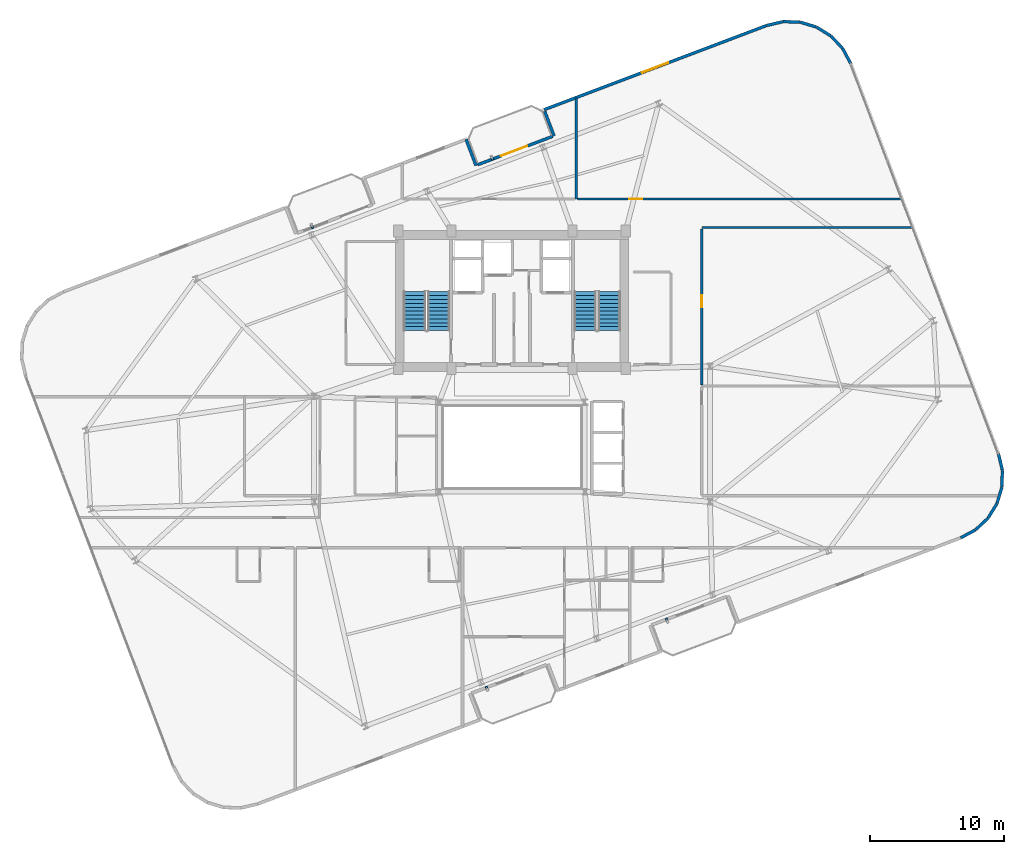
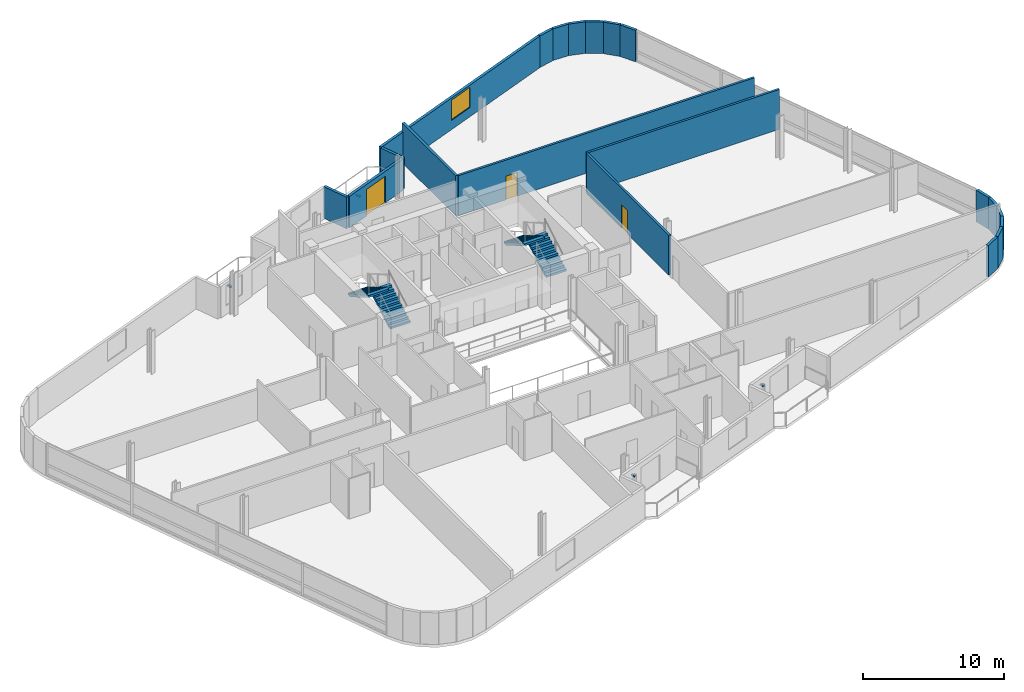
# One storey, part 17 of 19: 20 walls, 4 discrete accessories, 4 stair flights, 3 doors, 1 window, 4 openings, 2 elements without a shape of their own.
"""IFC4 building model written with IfcOpenShell, lengths in metres."""

from ifc_helpers import new_model, si_unit, direction, frame, frame_2d, origin, origin_2d, place, context, subcontext, project, spatial, polyline, rectangle, outline, extrude, source, transform, mapped, material, layer, layer_set, type_object, element, fill, aggregate, save


model = new_model("IFC4")

# Units and contexts
model_context = context("Model", 3, precision=1e-05, world=origin(), true_north=direction((0.0, 1.0)))
body_context = subcontext(model_context, "Body", "Model", "MODEL_VIEW")
ifc_project = project(units=[si_unit("LENGTHUNIT", "METRE"), si_unit("AREAUNIT", "SQUARE_METRE"), si_unit("VOLUMEUNIT", "CUBIC_METRE"), si_unit("PLANEANGLEUNIT", "RADIAN"), si_unit("MASSUNIT", "GRAM", prefix="KILO")], contexts=[model_context])

# Site, building, storey
site_placement = place(None, origin())
site = spatial("IfcSite", under=ifc_project, at=site_placement, CompositionType="ELEMENT")
building_placement = place(site_placement, origin())
building = spatial("IfcBuilding", under=site, at=building_placement, Name="Varnelok Gate Tower", CompositionType="ELEMENT")
storey_placement = place(building_placement, frame((0.0, 0.0, 231.199951171875)))
storey = spatial("IfcBuildingStorey", under=building, at=storey_placement, Name="L59", CompositionType="ELEMENT", Elevation=231.199951171875)

# Wall, opening, door
ifc_material_1 = material(Name="Concrete C45/55", Category="concrete")
ifc_layer_1 = layer(ifc_material_1, 0.219970703125)
ifc_layer_set_1 = layer_set([ifc_layer_1], Name="Concrete C45/55")
wall_type_1 = type_object("IfcWallType", Name="EW-BALC-220", PredefinedType="SOLIDWALL", material=ifc_layer_set_1)
wall_1_placement = place(storey_placement, frame((36.61669921875, 43.98583984375, 0.0), z_axis=(0.0, 0.0, 1.0), x_axis=(0.935227640088, 0.354046976001, 0.0)))
wall_1 = element("IfcWall", 1, at=wall_1_placement, inside=storey, type_object=wall_type_1, Name="L59 North Terrace Envelope Wall 4", PredefinedType="SOLIDWALL", context=body_context, shape_type="SweptSolid", body=[
    extrude(rectangle(XDim=6.0, YDim=0.219970703125, at=frame_2d((3.0, 0.0))), origin(), (0.0, 0.0, 1.0), 2.72998046875),
])
opening_1_placement = place(wall_1_placement, frame((1.887939453125, 0.0, 0.0)))
opening_1 = element("IfcOpeningElement", 2, at=opening_1_placement, cuts=wall_1, Name="Opening BD-2", PredefinedType="OPENING", context=body_context, shape_type="SweptSolid", body=[
    extrude(rectangle(XDim=2.10009765625, YDim=2.300048828125, at=frame_2d((1.050048828125, 1.14990234375))), frame((0.0, 0.119873046875, 0.0), z_axis=(0.0, -1.0, 0.0), x_axis=(1.0, 0.0, 0.0)), (0.0, 0.0, 1.0), 0.239990234375),
])
ifc_material_2 = material(Name="Anodized Aluminum Alloy 6063-T6", Category="aluminium")
door_type_1 = type_object("IfcDoorType", Name="DR-EXT-SLID2100", OperationType="SLIDING_TO_LEFT", PredefinedType="DOOR", material=ifc_material_2)
door_1_placement = place(opening_1_placement, origin())
door_1 = element("IfcDoor", 3, at=door_1_placement, inside=storey, type_object=door_type_1, Name="L59 North Balcony Glazed Door 4", OperationType="SLIDING_TO_LEFT", OverallHeight=2.300048828125, OverallWidth=2.10009765625, PredefinedType="DOOR", context=body_context, shape_type="SweptSolid", body=[
    extrude(rectangle(XDim=2.10009765625, YDim=2.300048828125, at=frame_2d((1.050048828125, 1.14990234375))), frame((0.0, 0.02490234375, 0.0), z_axis=(0.0, -1.0, 0.0), x_axis=(1.0, 0.0, 0.0)), (0.0, 0.0, 1.0), 0.050048828125),
])
fill(opening_1, door_1)

# Walls
wall_2_placement = place(storey_placement, frame((72.74560546875, 16.10498046875, 0.0), z_axis=(0.0, 0.0, 1.0), x_axis=(0.881112879796, 0.472906008693, 0.0)))
element("IfcWall", 4, at=wall_2_placement, inside=storey, type_object=wall_type_1, Name="L59 Perimeter Facade Closure Wall 14", PredefinedType="SOLIDWALL", context=body_context, shape_type="SweptSolid", body=[
    extrude(rectangle(XDim=1.256591796875, YDim=0.219970703125, at=frame_2d((0.62841796875, 0.0))), origin(), (0.0, 0.0, 1.0), 2.72998046875),
])
wall_3_placement = place(storey_placement, frame((73.870849609375, 16.716552734375, 0.0), z_axis=(0.0, 0.0, 1.0), x_axis=(0.728475443486, 0.685071914647, 0.0)))
element("IfcWall", 5, at=wall_3_placement, inside=storey, type_object=wall_type_1, Name="L59 Perimeter Facade Closure Wall 15", PredefinedType="SOLIDWALL", context=body_context, shape_type="SweptSolid", body=[
    extrude(rectangle(XDim=1.248779296875, YDim=0.219970703125, at=frame_2d((0.62451171875, 0.0))), origin(), (0.0, 0.0, 1.0), 2.72998046875),
])
for number, where, z_axis, x_axis, name in (
    (6, (74.793701171875, 17.59326171875, 0.0), (0.0, 0.0, 1.0), (0.526549805576, 0.850144283194, 0.0), "L59 Perimeter Facade Closure Wall 16"),
    (7, (75.458251953125, 18.6787109375, 0.0), (0.0, 0.0, 1.0), (0.288406081086, 0.957508189204, 0.0), "L59 Perimeter Facade Closure Wall 17"),
):
    element("IfcWall", number, at=place(storey_placement, frame(where, z_axis=z_axis, x_axis=x_axis)), inside=storey, type_object=wall_type_1, Name=name, PredefinedType="SOLIDWALL", context=body_context, shape_type="SweptSolid", body=[
        extrude(rectangle(XDim=1.24853515625, YDim=0.219970703125, at=frame_2d((0.624267578125, 0.0))), origin(), (0.0, 0.0, 1.0), 2.72998046875),
    ])
wall_4_placement = place(storey_placement, frame((75.819091796875, 19.8994140625, 0.0), z_axis=(0.0, 0.0, 1.0), x_axis=(0.030898954628, 0.999522513305, 0.0)))
element("IfcWall", 8, at=wall_4_placement, inside=storey, type_object=wall_type_1, Name="L59 Perimeter Facade Closure Wall 18", PredefinedType="SOLIDWALL", context=body_context, shape_type="SweptSolid", body=[
    extrude(rectangle(XDim=1.248291015625, YDim=0.219970703125, at=frame_2d((0.6240234375, 0.0))), origin(), (0.0, 0.0, 1.0), 2.72998046875),
])
wall_5_placement = place(storey_placement, frame((75.851806640625, 21.171630859375, 0.0), z_axis=(0.0, 0.0, 1.0), x_axis=(-0.228941257463, 0.973440239887, 0.0)))
element("IfcWall", 9, at=wall_5_placement, inside=storey, type_object=wall_type_1, Name="L59 Perimeter Facade Closure Wall 19", PredefinedType="SOLIDWALL", context=body_context, shape_type="SweptSolid", body=[
    extrude(rectangle(XDim=1.248779296875, YDim=0.219970703125, at=frame_2d((0.62451171875, 0.0))), origin(), (0.0, 0.0, 1.0), 2.72998046875),
])
wall_6_placement = place(storey_placement, frame((64.519287109375, 51.566162109375, 0.0), z_axis=(0.0, 0.0, 1.0), x_axis=(-0.473093575122, 0.881012184466, 0.0)))
element("IfcWall", 10, at=wall_6_placement, inside=storey, type_object=wall_type_1, Name="L59 Perimeter Facade Closure Wall 20", PredefinedType="SOLIDWALL", context=body_context, shape_type="SweptSolid", body=[
    extrude(rectangle(XDim=1.273681640625, YDim=0.219970703125, at=frame_2d((0.63671875, 0.0))), origin(), (0.0, 0.0, 1.0), 2.72998046875),
])
for number, where, z_axis, x_axis, name in (
    (11, (63.8994140625, 52.706298828125, 0.0), (0.0, 0.0, 1.0), (-0.684870565369, 0.728664743686, 0.0), "L59 Perimeter Facade Closure Wall 21"),
    (12, (63.02294921875, 53.629150390625, 0.0), (0.0, 0.0, 1.0), (-0.850198480006, 0.526462291712, 0.0), "L59 Perimeter Facade Closure Wall 22"),
):
    element("IfcWall", number, at=place(storey_placement, frame(where, z_axis=z_axis, x_axis=x_axis)), inside=storey, type_object=wall_type_1, Name=name, PredefinedType="SOLIDWALL", context=body_context, shape_type="SweptSolid", body=[
        extrude(rectangle(XDim=1.248779296875, YDim=0.219970703125, at=frame_2d((0.62451171875, 0.0))), origin(), (0.0, 0.0, 1.0), 2.72998046875),
    ])
for number, where, z_axis, x_axis, name in (
    (13, (61.937255859375, 54.293701171875, 0.0), (0.0, 0.0, 1.0), (-0.957508189204, 0.288406081086, 0.0), "L59 Perimeter Facade Closure Wall 23"),
    (14, (60.716796875, 54.65478515625, 0.0), (0.0, 0.0, 1.0), (-0.999528718359, 0.030697576053, 0.0), "L59 Perimeter Facade Closure Wall 24"),
):
    element("IfcWall", number, at=place(storey_placement, frame(where, z_axis=z_axis, x_axis=x_axis)), inside=storey, type_object=wall_type_1, Name=name, PredefinedType="SOLIDWALL", context=body_context, shape_type="SweptSolid", body=[
        extrude(rectangle(XDim=1.24853515625, YDim=0.219970703125, at=frame_2d((0.624267578125, 0.0))), origin(), (0.0, 0.0, 1.0), 2.72998046875),
    ])
wall_7_placement = place(storey_placement, frame((59.4443359375, 54.6875, 0.0), z_axis=(0.0, 0.0, 1.0), x_axis=(-0.973409523464, -0.229071821989, 0.0)))
element("IfcWall", 15, at=wall_7_placement, inside=storey, type_object=wall_type_1, Name="L59 Perimeter Facade Closure Wall 25", PredefinedType="SOLIDWALL", context=body_context, shape_type="SweptSolid", body=[
    extrude(rectangle(XDim=1.256591796875, YDim=0.219970703125, at=frame_2d((0.62841796875, 0.0))), origin(), (0.0, 0.0, 1.0), 2.72998046875),
])

# Wall, opening, window
wall_8_placement = place(storey_placement, frame((58.19775390625, 54.390869140625, 0.0), z_axis=(0.0, 0.0, 1.0), x_axis=(-0.935223849772, -0.354056988094, 0.0)))
wall_8 = element("IfcWall", 16, at=wall_8_placement, inside=storey, type_object=wall_type_1, Name="L59 Perimeter Facade Closure Wall 26", PredefinedType="SOLIDWALL", context=body_context, shape_type="SweptSolid", body=[
    extrude(rectangle(XDim=17.7470703125, YDim=0.219970703125, at=frame_2d((8.87353515625, 0.0))), origin(), (0.0, 0.0, 1.0), 2.72998046875),
])
opening_2_placement = place(wall_8_placement, frame((7.823486328125, 0.0, 0.800048828125)))
opening_2 = element("IfcOpeningElement", 17, at=opening_2_placement, cuts=wall_8, Name="Opening WN4", PredefinedType="OPENING", context=body_context, shape_type="SweptSolid", body=[
    extrude(rectangle(XDim=2.10009765625, YDim=1.75, at=frame_2d((1.050048828125, 0.875))), frame((0.0, 0.119873046875, 0.0), z_axis=(0.0, -1.0, 0.0), x_axis=(1.0, 0.0, 0.0)), (0.0, 0.0, 1.0), 0.239990234375),
])
ifc_material_3 = material(Name="Low-E Laminated Double Glazing IGU", Category="glass")
window_type = type_object("IfcWindowType", Name="WN-SUI-2100", PartitioningType="SINGLE_PANEL", PredefinedType="WINDOW", material=ifc_material_3)
window_placement = place(opening_2_placement, origin())
window = element("IfcWindow", 18, at=window_placement, inside=storey, type_object=window_type, Name="L59 Perimeter Vision Window 26", OverallHeight=1.75, OverallWidth=2.10009765625, PartitioningType="SINGLE_PANEL", PredefinedType="WINDOW", context=body_context, shape_type="SweptSolid", body=[
    extrude(rectangle(XDim=2.10009765625, YDim=1.75, at=frame_2d((1.050048828125, 0.875))), frame((0.0, 0.030029296875, 0.0), z_axis=(0.0, -1.0, 0.0), x_axis=(1.0, 0.0, 0.0)), (0.0, 0.0, 1.0), 0.06005859375),
])
fill(opening_2, window)

# Walls
wall_9_placement = place(storey_placement, frame((41.64453125, 47.990478515625, 0.0), z_axis=(0.0, 0.0, 1.0), x_axis=(0.354020680661, -0.935237594232, 0.0)))
element("IfcWall", 19, at=wall_9_placement, inside=storey, type_object=wall_type_1, Name="L59 Perimeter Facade Closure Wall 27", PredefinedType="SOLIDWALL", context=body_context, shape_type="SweptSolid", body=[
    extrude(rectangle(XDim=1.97509765625, YDim=0.219970703125, at=frame_2d((0.987548828125, 0.0))), origin(), (0.0, 0.0, 1.0), 2.72998046875),
])
wall_10_placement = place(storey_placement, frame((36.508056640625, 43.93408203125, 0.0), z_axis=(0.0, 0.0, 1.0), x_axis=(-0.354128469405, 0.935196785258, 0.0)))
element("IfcWall", 20, at=wall_10_placement, inside=storey, type_object=wall_type_1, Name="L59 Perimeter Facade Closure Wall 28", PredefinedType="SOLIDWALL", context=body_context, shape_type="SweptSolid", body=[
    extrude(rectangle(XDim=2.099853515625, YDim=0.219970703125, at=frame_2d((1.0498046875, 0.0))), origin(), (0.0, 0.0, 1.0), 2.72998046875),
])

# Wall, opening, door
ifc_material_4 = material(Name="Gypsum Plasterboard Acoustic Partition", Category="gypsum")
ifc_layer_2 = layer(ifc_material_4, 0.179931640625)
ifc_layer_set_2 = layer_set([ifc_layer_2], Name="Gypsum Plasterboard Acoustic Partition")
wall_type_2 = type_object("IfcWallType", Name="PW-CORR-180", PredefinedType="PARTITIONING", material=ifc_layer_set_2)
wall_11_placement = place(storey_placement, frame((44.080078125, 41.429931640625, 0.0), z_axis=(0.0, 0.0, 1.0), x_axis=(1.0, 0.0, 0.0)))
wall_11 = element("IfcWall", 21, at=wall_11_placement, inside=storey, type_object=wall_type_2, Name="Interior Partition", PredefinedType="PARTITIONING", context=body_context, shape_type="SweptSolid", body=[
    extrude(rectangle(XDim=24.21630859375, YDim=0.179931640625, at=frame_2d((12.108154296875, 0.0))), origin(), (0.0, 0.0, 1.0), 3.449951171875),
])
opening_3_placement = place(wall_11_placement, frame((3.89501953125, 0.0, 0.0)))
opening_3 = element("IfcOpeningElement", 22, at=opening_3_placement, cuts=wall_11, Name="Opening D-I2", PredefinedType="OPENING", context=body_context, shape_type="SweptSolid", body=[
    extrude(rectangle(XDim=0.949951171875, YDim=2.050048828125, at=frame_2d((0.47509765625, 1.02490234375))), frame((0.0, 0.099853515625, 0.0), z_axis=(0.0, -1.0, 0.0), x_axis=(1.0, 0.0, 0.0)), (0.0, 0.0, 1.0), 0.199951171875),
])
ifc_material_5 = material(Name="Engineered Hardwood Timber", Category="wood")
door_type_2 = type_object("IfcDoorType", Name="DR-INT-950", OperationType="NOTDEFINED", PredefinedType="DOOR", material=ifc_material_5)
door_2_placement = place(opening_3_placement, origin())
door_2 = element("IfcDoor", 23, at=door_2_placement, inside=storey, type_object=door_type_2, Name="L59 Hotel Business Center Door", OperationType="SINGLE_SWING_LEFT", OverallHeight=2.050048828125, OverallWidth=0.949951171875, PredefinedType="DOOR", context=body_context, shape_type="SweptSolid", body=[
    extrude(rectangle(XDim=0.949951171875, YDim=2.050048828125, at=frame_2d((0.47509765625, 1.02490234375))), frame((0.0, 0.02490234375, 0.0), z_axis=(0.0, -1.0, 0.0), x_axis=(1.0, 0.0, 0.0)), (0.0, 0.0, 1.0), 0.050048828125),
])
fill(opening_3, door_2)

wall_12_placement = place(storey_placement, frame((53.389892578125, 27.530029296875, 0.0), z_axis=(0.0, 0.0, 1.0), x_axis=(0.0, 1.0, 0.0)))
wall_12 = element("IfcWall", 24, at=wall_12_placement, inside=storey, type_object=wall_type_2, Name="Interior Partition", PredefinedType="PARTITIONING", context=body_context, shape_type="SweptSolid", body=[
    extrude(rectangle(XDim=11.669921875, YDim=0.179931640625, at=frame_2d((5.8349609375, 0.0))), origin(), (0.0, 0.0, 1.0), 3.449951171875),
])
opening_4_placement = place(wall_12_placement, frame((5.800048828125, 0.0, 0.0)))
opening_4 = element("IfcOpeningElement", 25, at=opening_4_placement, cuts=wall_12, Name="Opening D-I3", PredefinedType="OPENING", context=body_context, shape_type="SweptSolid", body=[
    extrude(rectangle(XDim=0.919921875, YDim=2.050048828125, at=frame_2d((0.4599609375, 1.02490234375))), frame((0.0, 0.099853515625, 0.0), z_axis=(0.0, -1.0, 0.0), x_axis=(1.0, 0.0, 0.0)), (0.0, 0.0, 1.0), 0.199951171875),
])
door_type_3 = type_object("IfcDoorType", Name="DR-INT-920", OperationType="NOTDEFINED", PredefinedType="DOOR", material=ifc_material_5)
door_3_placement = place(opening_4_placement, origin())
door_3 = element("IfcDoor", 26, at=door_3_placement, inside=storey, type_object=door_type_3, Name="L59 East Suite 2 Door", OperationType="SINGLE_SWING_RIGHT", OverallHeight=2.050048828125, OverallWidth=0.919921875, PredefinedType="DOOR", context=body_context, shape_type="SweptSolid", body=[
    extrude(rectangle(XDim=0.919921875, YDim=2.050048828125, at=frame_2d((0.4599609375, 1.02490234375))), frame((0.0, 0.02490234375, 0.0), z_axis=(0.0, -1.0, 0.0), x_axis=(1.0, 0.0, 0.0)), (0.0, 0.0, 1.0), 0.050048828125),
])
fill(opening_4, door_3)

# Walls
wall_13_placement = place(storey_placement, frame((53.389892578125, 39.300048828125, 0.0), z_axis=(0.0, 0.0, 1.0), x_axis=(1.0, 0.0, 0.0)))
element("IfcWall", 27, at=wall_13_placement, inside=storey, type_object=wall_type_2, Name="Interior Partition", PredefinedType="PARTITIONING", context=body_context, shape_type="SweptSolid", body=[
    extrude(rectangle(XDim=15.712890625, YDim=0.179931640625, at=frame_2d((7.8564453125, 0.0))), origin(), (0.0, 0.0, 1.0), 3.449951171875),
])
ifc_layer_3 = layer(ifc_material_4, 0.205078125)
ifc_layer_set_3 = layer_set([ifc_layer_3], Name="Gypsum Plasterboard Acoustic Partition")
wall_type_3 = type_object("IfcWallType", Name="PW-PARTY-200", PredefinedType="PARTITIONING", material=ifc_layer_set_3)
wall_14_placement = place(storey_placement, frame((44.0, 41.429931640625, 0.0), z_axis=(0.0, 0.0, 1.0), x_axis=(0.0, 1.0, 0.0)))
element("IfcWall", 28, at=wall_14_placement, inside=storey, type_object=wall_type_3, Name="L59 North Party Wall 2", PredefinedType="PARTITIONING", context=body_context, shape_type="SweptSolid", body=[
    extrude(rectangle(XDim=7.564453125, YDim=0.205078125, at=frame_2d((3.7822265625, 0.0))), origin(), (0.0, 0.0, 1.0), 3.449951171875),
])

# Stair, stair flights
ifc_material_6 = material(Name="Concrete C50/60", Category="concrete")
stair_type = type_object("IfcStairType", Name="STR-CORE-1650", PredefinedType="HALF_TURN_STAIR", material=ifc_material_6)
stair_1_placement = place(storey_placement, origin())
stair_1 = element("IfcStair", 29, at=stair_1_placement, inside=storey, type_object=stair_type, Name="L59 Exit Stair ST-1", PredefinedType="HALF_TURN_STAIR")
stair_flight_type = type_object("IfcStairFlightType", Name="SFL-CORE-1650", PredefinedType="STRAIGHT", material=ifc_material_6)
stair_flight_1_placement = place(storey_placement, frame((33.72509765625, 31.60009765625, 0.0), z_axis=(0.0, 0.0, 1.0), x_axis=(0.0, 1.0, 0.0)))
stair_flight_1 = element("IfcStairFlight", 30, at=stair_flight_1_placement, type_object=stair_flight_type, Name="ST-1 flight 1", NumberOfRisers=11, NumberOfTreads=10, PredefinedType="STRAIGHT", RiserHeight=0.168181818, TreadLength=0.29, context=body_context, shape_type="SweptSolid", body=[
    extrude(outline(polyline([(0.0, 0.0), (0.0, 0.168212890625), (0.2900390625, 0.168212890625), (0.2900390625, 0.33642578125), (0.580078125, 0.33642578125), (0.580078125, 0.504638671875), (0.8701171875, 0.504638671875), (0.8701171875, 0.672607421875), (1.159912109375, 0.672607421875), (1.159912109375, 0.8408203125), (1.449951171875, 0.8408203125), (1.449951171875, 1.009033203125), (1.739990234375, 1.009033203125), (1.739990234375, 1.17724609375), (2.030029296875, 1.17724609375), (2.030029296875, 1.345458984375), (2.320068359375, 1.345458984375), (2.320068359375, 1.513671875), (2.610107421875, 1.513671875), (2.610107421875, 1.681884765625), (2.89990234375, 1.681884765625), (2.89990234375, 1.85009765625), (2.89990234375, 1.508544921875), (0.298828125, 0.0), (0.0, 0.0)])), frame((0.0, 0.824951171875, 0.0), z_axis=(0.0, -1.0, 0.0), x_axis=(1.0, 0.0, 0.0)), (0.0, 0.0, 1.0), 1.64990234375),
])
stair_flight_2_placement = place(storey_placement, frame((31.925048828125, 34.5, 1.85009765625), z_axis=(0.0, 0.0, 1.0), x_axis=(0.0, -1.0, 0.0)))
stair_flight_2 = element("IfcStairFlight", 31, at=stair_flight_2_placement, type_object=stair_flight_type, Name="ST-1 flight 2", NumberOfRisers=11, NumberOfTreads=10, PredefinedType="STRAIGHT", RiserHeight=0.168181818, TreadLength=0.29, context=body_context, shape_type="SweptSolid", body=[
    extrude(outline(polyline([(0.0, 0.0), (0.0, 0.168212890625), (0.2900390625, 0.168212890625), (0.2900390625, 0.33642578125), (0.580078125, 0.33642578125), (0.580078125, 0.504638671875), (0.8701171875, 0.504638671875), (0.8701171875, 0.672607421875), (1.159912109375, 0.672607421875), (1.159912109375, 0.8408203125), (1.449951171875, 0.8408203125), (1.449951171875, 1.009033203125), (1.739990234375, 1.009033203125), (1.739990234375, 1.17724609375), (2.030029296875, 1.17724609375), (2.030029296875, 1.345458984375), (2.320068359375, 1.345458984375), (2.320068359375, 1.513671875), (2.610107421875, 1.513671875), (2.610107421875, 1.681884765625), (2.89990234375, 1.681884765625), (2.89990234375, 1.85009765625), (2.89990234375, 1.508544921875), (0.298828125, 0.0), (0.0, 0.0)])), frame((0.0, 0.824951171875, 0.0), z_axis=(0.0, -1.0, 0.0), x_axis=(1.0, 0.0, 0.0)), (0.0, 0.0, 1.0), 1.64990234375),
])
aggregate(stair_1, [stair_flight_1, stair_flight_2])

stair_2_placement = place(storey_placement, origin())
stair_2 = element("IfcStair", 32, at=stair_2_placement, inside=storey, type_object=stair_type, Name="L59 Exit Stair ST-2", PredefinedType="HALF_TURN_STAIR")
stair_flight_3_placement = place(storey_placement, frame((46.47509765625, 31.60009765625, 0.0), z_axis=(0.0, 0.0, 1.0), x_axis=(0.0, 1.0, 0.0)))
stair_flight_3 = element("IfcStairFlight", 33, at=stair_flight_3_placement, type_object=stair_flight_type, Name="ST-2 flight 1", NumberOfRisers=11, NumberOfTreads=10, PredefinedType="STRAIGHT", RiserHeight=0.168181818, TreadLength=0.29, context=body_context, shape_type="SweptSolid", body=[
    extrude(outline(polyline([(0.0, 0.0), (0.0, 0.168212890625), (0.2900390625, 0.168212890625), (0.2900390625, 0.33642578125), (0.580078125, 0.33642578125), (0.580078125, 0.504638671875), (0.8701171875, 0.504638671875), (0.8701171875, 0.672607421875), (1.159912109375, 0.672607421875), (1.159912109375, 0.8408203125), (1.449951171875, 0.8408203125), (1.449951171875, 1.009033203125), (1.739990234375, 1.009033203125), (1.739990234375, 1.17724609375), (2.030029296875, 1.17724609375), (2.030029296875, 1.345458984375), (2.320068359375, 1.345458984375), (2.320068359375, 1.513671875), (2.610107421875, 1.513671875), (2.610107421875, 1.681884765625), (2.89990234375, 1.681884765625), (2.89990234375, 1.85009765625), (2.89990234375, 1.508544921875), (0.298828125, 0.0), (0.0, 0.0)])), frame((0.0, 0.824951171875, 0.0), z_axis=(0.0, -1.0, 0.0), x_axis=(1.0, 0.0, 0.0)), (0.0, 0.0, 1.0), 1.64990234375),
])
stair_flight_4_placement = place(storey_placement, frame((44.675048828125, 34.5, 1.85009765625), z_axis=(0.0, 0.0, 1.0), x_axis=(0.0, -1.0, 0.0)))
stair_flight_4 = element("IfcStairFlight", 34, at=stair_flight_4_placement, type_object=stair_flight_type, Name="ST-2 flight 2", NumberOfRisers=11, NumberOfTreads=10, PredefinedType="STRAIGHT", RiserHeight=0.168181818, TreadLength=0.29, context=body_context, shape_type="SweptSolid", body=[
    extrude(outline(polyline([(0.0, 0.0), (0.0, 0.168212890625), (0.2900390625, 0.168212890625), (0.2900390625, 0.33642578125), (0.580078125, 0.33642578125), (0.580078125, 0.504638671875), (0.8701171875, 0.504638671875), (0.8701171875, 0.672607421875), (1.159912109375, 0.672607421875), (1.159912109375, 0.8408203125), (1.449951171875, 0.8408203125), (1.449951171875, 1.009033203125), (1.739990234375, 1.009033203125), (1.739990234375, 1.17724609375), (2.030029296875, 1.17724609375), (2.030029296875, 1.345458984375), (2.320068359375, 1.345458984375), (2.320068359375, 1.513671875), (2.610107421875, 1.513671875), (2.610107421875, 1.681884765625), (2.89990234375, 1.681884765625), (2.89990234375, 1.85009765625), (2.89990234375, 1.508544921875), (0.298828125, 0.0), (0.0, 0.0)])), frame((0.0, 0.824951171875, 0.0), z_axis=(0.0, -1.0, 0.0), x_axis=(1.0, 0.0, 0.0)), (0.0, 0.0, 1.0), 1.64990234375),
])
aggregate(stair_2, [stair_flight_3, stair_flight_4])

# Discrete accessories
ifc_material_7 = material(Name="Structural Steel ASTM A500 Grade C", Category="steel")
discrete_accessory_type = type_object("IfcDiscreteAccessoryType", Name="ACC-BAGUETTE-BRK", PredefinedType="BRACKET", material=ifc_material_7)
shared_shape = source(origin(), body_context, "Body", "SweptSolid", [
    extrude(rectangle(XDim=0.159912109375, YDim=0.340087890625, at=origin_2d()), origin(), (0.0, 0.0, 1.0), 0.139892578125),
])
for number, where, z_axis, x_axis, name in (
    (35, (37.322509765625, 4.83984375, 1.97998046875), (0.0, 0.0, 1.0), (0.935221751401, 0.354062530786, 0.0), "L59 Terracotta Baguette Bracket 1.1"),
    (36, (50.789794921875, 9.9384765625, 1.97998046875), (0.0, 0.0, 1.0), (0.935221751401, 0.354062530786, 0.0), "L59 Terracotta Baguette Bracket 2.1"),
    (37, (24.243408203125, 39.386962890625, 1.97998046875), (0.0, 0.0, 1.0), (0.935221751401, 0.354062530786, 0.0), "L59 Terracotta Baguette Bracket 3.1"),
    (38, (37.710693359375, 44.485595703125, 1.97998046875), (0.0, 0.0, 1.0), (0.935221751401, 0.354062530786, 0.0), "L59 Terracotta Baguette Bracket 4.1"),
):
    element("IfcDiscreteAccessory", number, at=place(storey_placement, frame(where, z_axis=z_axis, x_axis=x_axis)), inside=storey, type_object=discrete_accessory_type, Name=name, PredefinedType="BRACKET", context=body_context, shape_type="MappedRepresentation", body=[
        mapped(shared_shape, transform((0.0, 0.0, 0.0), scale=1.0)),
    ])

save(model, "model.ifc")
